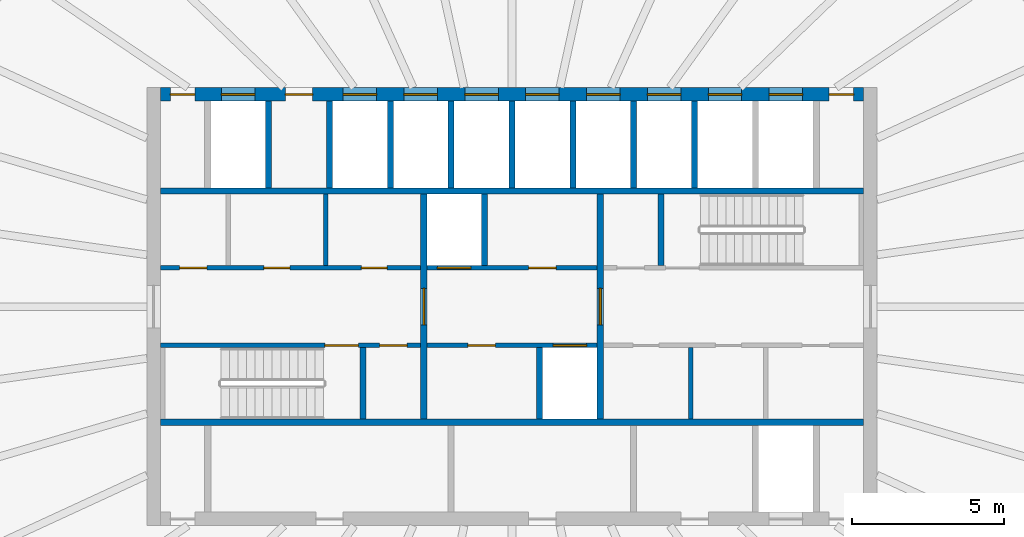
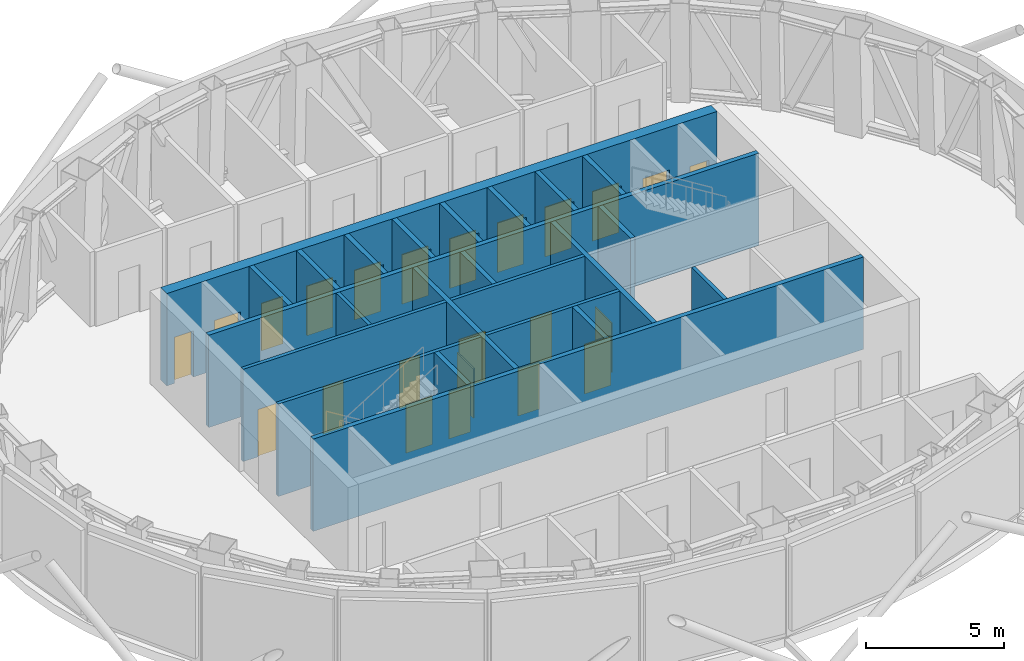
# One storey, part 6 of 15: 23 doors, 23 walls, 23 openings.
"""IFC4 building model written with IfcOpenShell, lengths in metres."""

from ifc_helpers import new_model, si_unit, direction, frame, frame_2d, origin, place, context, subcontext, project, spatial, rectangle, extrude, material, layer, layer_set, type_object, element, fill, save


model = new_model("IFC4")

# Units and contexts
model_context = context("Model", 3, precision=1e-05, world=origin(), true_north=direction((0.0, 1.0)))
body_context = subcontext(model_context, "Body", "Model", "MODEL_VIEW")
ifc_project = project(units=[si_unit("LENGTHUNIT", "METRE"), si_unit("AREAUNIT", "SQUARE_METRE"), si_unit("VOLUMEUNIT", "CUBIC_METRE"), si_unit("PLANEANGLEUNIT", "RADIAN"), si_unit("MASSUNIT", "GRAM", prefix="KILO")], contexts=[model_context])

# Site, building, storey
site_placement = place(None, origin())
site = spatial("IfcSite", under=ifc_project, at=site_placement, CompositionType="ELEMENT")
building_placement = place(site_placement, origin())
building = spatial("IfcBuilding", under=site, at=building_placement, Name="Siaravel Broadcast Tower", CompositionType="ELEMENT")
storey_placement = place(building_placement, frame((0.0, 0.0, 212.60009765625)))
storey = spatial("IfcBuildingStorey", under=building, at=storey_placement, Name="L51", CompositionType="ELEMENT", Elevation=212.60009765625)

# Walls
ifc_material_1 = material(Name="Concrete blockwork", Category="masonry")
ifc_layer_1 = layer(ifc_material_1, 0.14990234375)
ifc_layer_set_1 = layer_set([ifc_layer_1], Name="Concrete blockwork")
wall_type_1 = type_object("IfcWallType", Name="Core partition 150", PredefinedType="PARTITIONING", material=ifc_layer_set_1)
for number, where, z_axis, x_axis, name in (
    (1, (-6.12744140625, 1.35009765625, 0.0), (0.0, 0.0, 1.0), (0.0, 1.0, 0.0), "L51 core partition PNW1"),
    (2, (5.8798828125, -3.699951171875, 0.0), (0.0, 0.0, 1.0), (0.0, 1.0, 0.0), "L51 core partition PSE0"),
):
    element("IfcWall", number, at=place(storey_placement, frame(where, z_axis=z_axis, x_axis=x_axis)), inside=storey, type_object=wall_type_1, Name=name, PredefinedType="PARTITIONING", context=body_context, shape_type="SweptSolid", body=[
        extrude(rectangle(XDim=2.349853515625, YDim=0.14990234375, at=frame_2d((1.1748046875, 0.0))), origin(), (0.0, 0.0, 1.0), 4.099853515625),
    ])

# Wall, openings, doors
ifc_material_2 = material(Name="Concrete C60/75", Category="concrete")
ifc_layer_2 = layer(ifc_material_2, 0.449951171875)
ifc_layer_set_2 = layer_set([ifc_layer_2], Name="Concrete C60/75")
wall_type_2 = type_object("IfcWallType", Name="Core wall 450", PredefinedType="SHEAR", material=ifc_layer_set_2)
wall_1_placement = place(storey_placement, frame((-11.550048828125, 6.97509765625, 0.0), z_axis=(0.0, 0.0, 1.0), x_axis=(1.0, 0.0, 0.0)))
wall_1 = element("IfcWall", 3, at=wall_1_placement, inside=storey, type_object=wall_type_2, Name="L51 core wall ON", PredefinedType="SHEAR", context=body_context, shape_type="SweptSolid", body=[
    extrude(rectangle(XDim=23.10009765625, YDim=0.449951171875, at=frame_2d((11.550048828125, 0.0))), origin(), (0.0, 0.0, 1.0), 4.099853515625),
])
opening_1_placement = place(wall_1_placement, frame((2.0, 0.0, 0.0)))
opening_1 = element("IfcOpeningElement", 4, at=opening_1_placement, cuts=wall_1, Name="Opening LD-SV2-L51", PredefinedType="OPENING", context=body_context, shape_type="SweptSolid", body=[
    extrude(rectangle(XDim=1.10009765625, YDim=2.199951171875, at=frame_2d((0.550048828125, 1.10009765625))), frame((0.0, 0.23486328125, 0.0), z_axis=(0.0, -1.0, 0.0), x_axis=(1.0, 0.0, 0.0)), (0.0, 0.0, 1.0), 0.469970703125),
])
opening_2_placement = place(wall_1_placement, frame((6.0, 0.0, 0.0)))
opening_2 = element("IfcOpeningElement", 5, at=opening_2_placement, cuts=wall_1, Name="Opening LD-HP1-L51", PredefinedType="OPENING", context=body_context, shape_type="SweptSolid", body=[
    extrude(rectangle(XDim=1.10009765625, YDim=2.199951171875, at=frame_2d((0.550048828125, 1.10009765625))), frame((0.0, 0.23486328125, 0.0), z_axis=(0.0, -1.0, 0.0), x_axis=(1.0, 0.0, 0.0)), (0.0, 0.0, 1.0), 0.469970703125),
])
opening_3_placement = place(wall_1_placement, frame((8.0, 0.0, 0.0)))
opening_3 = element("IfcOpeningElement", 6, at=opening_3_placement, cuts=wall_1, Name="Opening LD-HP2-L51", PredefinedType="OPENING", context=body_context, shape_type="SweptSolid", body=[
    extrude(rectangle(XDim=1.10009765625, YDim=2.199951171875, at=frame_2d((0.550048828125, 1.10009765625))), frame((0.0, 0.23486328125, 0.0), z_axis=(0.0, -1.0, 0.0), x_axis=(1.0, 0.0, 0.0)), (0.0, 0.0, 1.0), 0.469970703125),
])
opening_4_placement = place(wall_1_placement, frame((10.0, 0.0, 0.0)))
opening_4 = element("IfcOpeningElement", 7, at=opening_4_placement, cuts=wall_1, Name="Opening LD-HP3-L51", PredefinedType="OPENING", context=body_context, shape_type="SweptSolid", body=[
    extrude(rectangle(XDim=1.10009765625, YDim=2.199951171875, at=frame_2d((0.550048828125, 1.10009765625))), frame((0.0, 0.23486328125, 0.0), z_axis=(0.0, -1.0, 0.0), x_axis=(1.0, 0.0, 0.0)), (0.0, 0.0, 1.0), 0.469970703125),
])
opening_5_placement = place(wall_1_placement, frame((12.0, 0.0, 0.0)))
opening_5 = element("IfcOpeningElement", 8, at=opening_5_placement, cuts=wall_1, Name="Opening LD-HP4-L51", PredefinedType="OPENING", context=body_context, shape_type="SweptSolid", body=[
    extrude(rectangle(XDim=1.10009765625, YDim=2.199951171875, at=frame_2d((0.550048828125, 1.10009765625))), frame((0.0, 0.23486328125, 0.0), z_axis=(0.0, -1.0, 0.0), x_axis=(1.0, 0.0, 0.0)), (0.0, 0.0, 1.0), 0.469970703125),
])
opening_6_placement = place(wall_1_placement, frame((14.0, 0.0, 0.0)))
opening_6 = element("IfcOpeningElement", 9, at=opening_6_placement, cuts=wall_1, Name="Opening LD-HP5-L51", PredefinedType="OPENING", context=body_context, shape_type="SweptSolid", body=[
    extrude(rectangle(XDim=1.10009765625, YDim=2.199951171875, at=frame_2d((0.550048828125, 1.10009765625))), frame((0.0, 0.23486328125, 0.0), z_axis=(0.0, -1.0, 0.0), x_axis=(1.0, 0.0, 0.0)), (0.0, 0.0, 1.0), 0.469970703125),
])
opening_7_placement = place(wall_1_placement, frame((16.0, 0.0, 0.0)))
opening_7 = element("IfcOpeningElement", 10, at=opening_7_placement, cuts=wall_1, Name="Opening LD-HP6-L51", PredefinedType="OPENING", context=body_context, shape_type="SweptSolid", body=[
    extrude(rectangle(XDim=1.10009765625, YDim=2.199951171875, at=frame_2d((0.550048828125, 1.10009765625))), frame((0.0, 0.23486328125, 0.0), z_axis=(0.0, -1.0, 0.0), x_axis=(1.0, 0.0, 0.0)), (0.0, 0.0, 1.0), 0.469970703125),
])
opening_8_placement = place(wall_1_placement, frame((18.0, 0.0, 0.0)))
opening_8 = element("IfcOpeningElement", 11, at=opening_8_placement, cuts=wall_1, Name="Opening LD-HP7-L51", PredefinedType="OPENING", context=body_context, shape_type="SweptSolid", body=[
    extrude(rectangle(XDim=1.10009765625, YDim=2.199951171875, at=frame_2d((0.550048828125, 1.10009765625))), frame((0.0, 0.23486328125, 0.0), z_axis=(0.0, -1.0, 0.0), x_axis=(1.0, 0.0, 0.0)), (0.0, 0.0, 1.0), 0.469970703125),
])
opening_9_placement = place(wall_1_placement, frame((20.0, 0.0, 0.0)))
opening_9 = element("IfcOpeningElement", 12, at=opening_9_placement, cuts=wall_1, Name="Opening LD-HP8-L51", PredefinedType="OPENING", context=body_context, shape_type="SweptSolid", body=[
    extrude(rectangle(XDim=1.10009765625, YDim=2.199951171875, at=frame_2d((0.550048828125, 1.10009765625))), frame((0.0, 0.23486328125, 0.0), z_axis=(0.0, -1.0, 0.0), x_axis=(1.0, 0.0, 0.0)), (0.0, 0.0, 1.0), 0.469970703125),
])
opening_10_placement = place(wall_1_placement, frame((4.10009765625, 0.0, 0.0)))
opening_10 = element("IfcOpeningElement", 13, at=opening_10_placement, cuts=wall_1, Name="Opening L51-DFN1", PredefinedType="OPENING", context=body_context, shape_type="SweptSolid", body=[
    extrude(rectangle(XDim=0.89990234375, YDim=2.10009765625, at=frame_2d((0.449951171875, 1.050048828125))), frame((0.0, 0.23486328125, 0.0), z_axis=(0.0, -1.0, 0.0), x_axis=(1.0, 0.0, 0.0)), (0.0, 0.0, 1.0), 0.469970703125),
])
opening_11_placement = place(wall_1_placement, frame((0.324951171875, 0.0, 0.0)))
opening_11 = element("IfcOpeningElement", 14, at=opening_11_placement, cuts=wall_1, Name="Opening L51-DRNW", PredefinedType="OPENING", context=body_context, shape_type="SweptSolid", body=[
    extrude(rectangle(XDim=0.800048828125, YDim=2.050048828125, at=frame_2d((0.39990234375, 1.02490234375))), frame((0.0, 0.23486328125, 0.0), z_axis=(0.0, -1.0, 0.0), x_axis=(1.0, 0.0, 0.0)), (0.0, 0.0, 1.0), 0.469970703125),
])
opening_12_placement = place(wall_1_placement, frame((21.97509765625, 0.0, 0.0)))
opening_12 = element("IfcOpeningElement", 15, at=opening_12_placement, cuts=wall_1, Name="Opening L51-DRNE", PredefinedType="OPENING", context=body_context, shape_type="SweptSolid", body=[
    extrude(rectangle(XDim=0.800048828125, YDim=2.050048828125, at=frame_2d((0.39990234375, 1.02490234375))), frame((0.0, 0.23486328125, 0.0), z_axis=(0.0, -1.0, 0.0), x_axis=(1.0, 0.0, 0.0)), (0.0, 0.0, 1.0), 0.469970703125),
])
ifc_material_3 = material(Name="Timber veneer", Category="wood")
door_type_1 = type_object("IfcDoorType", Name="Core room door 900", OperationType="SINGLE_SWING_LEFT", PredefinedType="DOOR", material=ifc_material_3)
door_1_placement = place(opening_10_placement, origin())
door_1 = element("IfcDoor", 16, at=door_1_placement, inside=storey, type_object=door_type_1, Name="L51 door DFN1", OperationType="SINGLE_SWING_LEFT", OverallHeight=2.10009765625, OverallWidth=0.89990234375, PredefinedType="DOOR", context=body_context, shape_type="SweptSolid", body=[
    extrude(rectangle(XDim=0.89990234375, YDim=2.10009765625, at=frame_2d((0.449951171875, 1.050048828125))), frame((0.0, 0.02490234375, 0.0), z_axis=(0.0, -1.0, 0.0), x_axis=(1.0, 0.0, 0.0)), (0.0, 0.0, 1.0), 0.050048828125),
])
fill(opening_10, door_1)
ifc_material_4 = material(Name="Stainless steel 316L", Category="steel")
door_type_2 = type_object("IfcDoorType", Name="Lift landing door 1100", OperationType="DOUBLE_DOOR_SLIDING", PredefinedType="DOOR", material=ifc_material_4)
door_2_placement = place(opening_2_placement, origin())
door_2 = element("IfcDoor", 17, at=door_2_placement, inside=storey, type_object=door_type_2, Name="Landing door HP1 L51", OperationType="DOUBLE_DOOR_SLIDING", OverallHeight=2.199951171875, OverallWidth=1.10009765625, PredefinedType="DOOR", context=body_context, shape_type="SweptSolid", body=[
    extrude(rectangle(XDim=1.10009765625, YDim=2.199951171875, at=frame_2d((0.550048828125, 1.10009765625))), frame((0.0, 0.02490234375, 0.0), z_axis=(0.0, -1.0, 0.0), x_axis=(1.0, 0.0, 0.0)), (0.0, 0.0, 1.0), 0.050048828125),
])
fill(opening_2, door_2)
door_3_placement = place(opening_3_placement, origin())
door_3 = element("IfcDoor", 18, at=door_3_placement, inside=storey, type_object=door_type_2, Name="Landing door HP2 L51", OperationType="DOUBLE_DOOR_SLIDING", OverallHeight=2.199951171875, OverallWidth=1.10009765625, PredefinedType="DOOR", context=body_context, shape_type="SweptSolid", body=[
    extrude(rectangle(XDim=1.10009765625, YDim=2.199951171875, at=frame_2d((0.550048828125, 1.10009765625))), frame((0.0, 0.02490234375, 0.0), z_axis=(0.0, -1.0, 0.0), x_axis=(1.0, 0.0, 0.0)), (0.0, 0.0, 1.0), 0.050048828125),
])
fill(opening_3, door_3)
door_4_placement = place(opening_4_placement, origin())
door_4 = element("IfcDoor", 19, at=door_4_placement, inside=storey, type_object=door_type_2, Name="Landing door HP3 L51", OperationType="DOUBLE_DOOR_SLIDING", OverallHeight=2.199951171875, OverallWidth=1.10009765625, PredefinedType="DOOR", context=body_context, shape_type="SweptSolid", body=[
    extrude(rectangle(XDim=1.10009765625, YDim=2.199951171875, at=frame_2d((0.550048828125, 1.10009765625))), frame((0.0, 0.02490234375, 0.0), z_axis=(0.0, -1.0, 0.0), x_axis=(1.0, 0.0, 0.0)), (0.0, 0.0, 1.0), 0.050048828125),
])
fill(opening_4, door_4)
door_5_placement = place(opening_5_placement, origin())
door_5 = element("IfcDoor", 20, at=door_5_placement, inside=storey, type_object=door_type_2, Name="Landing door HP4 L51", OperationType="DOUBLE_DOOR_SLIDING", OverallHeight=2.199951171875, OverallWidth=1.10009765625, PredefinedType="DOOR", context=body_context, shape_type="SweptSolid", body=[
    extrude(rectangle(XDim=1.10009765625, YDim=2.199951171875, at=frame_2d((0.550048828125, 1.10009765625))), frame((0.0, 0.02490234375, 0.0), z_axis=(0.0, -1.0, 0.0), x_axis=(1.0, 0.0, 0.0)), (0.0, 0.0, 1.0), 0.050048828125),
])
fill(opening_5, door_5)
door_6_placement = place(opening_6_placement, origin())
door_6 = element("IfcDoor", 21, at=door_6_placement, inside=storey, type_object=door_type_2, Name="Landing door HP5 L51", OperationType="DOUBLE_DOOR_SLIDING", OverallHeight=2.199951171875, OverallWidth=1.10009765625, PredefinedType="DOOR", context=body_context, shape_type="SweptSolid", body=[
    extrude(rectangle(XDim=1.10009765625, YDim=2.199951171875, at=frame_2d((0.550048828125, 1.10009765625))), frame((0.0, 0.02490234375, 0.0), z_axis=(0.0, -1.0, 0.0), x_axis=(1.0, 0.0, 0.0)), (0.0, 0.0, 1.0), 0.050048828125),
])
fill(opening_6, door_6)
door_7_placement = place(opening_7_placement, origin())
door_7 = element("IfcDoor", 22, at=door_7_placement, inside=storey, type_object=door_type_2, Name="Landing door HP6 L51", OperationType="DOUBLE_DOOR_SLIDING", OverallHeight=2.199951171875, OverallWidth=1.10009765625, PredefinedType="DOOR", context=body_context, shape_type="SweptSolid", body=[
    extrude(rectangle(XDim=1.10009765625, YDim=2.199951171875, at=frame_2d((0.550048828125, 1.10009765625))), frame((0.0, 0.02490234375, 0.0), z_axis=(0.0, -1.0, 0.0), x_axis=(1.0, 0.0, 0.0)), (0.0, 0.0, 1.0), 0.050048828125),
])
fill(opening_7, door_7)
door_8_placement = place(opening_8_placement, origin())
door_8 = element("IfcDoor", 23, at=door_8_placement, inside=storey, type_object=door_type_2, Name="Landing door HP7 L51", OperationType="DOUBLE_DOOR_SLIDING", OverallHeight=2.199951171875, OverallWidth=1.10009765625, PredefinedType="DOOR", context=body_context, shape_type="SweptSolid", body=[
    extrude(rectangle(XDim=1.10009765625, YDim=2.199951171875, at=frame_2d((0.550048828125, 1.10009765625))), frame((0.0, 0.02490234375, 0.0), z_axis=(0.0, -1.0, 0.0), x_axis=(1.0, 0.0, 0.0)), (0.0, 0.0, 1.0), 0.050048828125),
])
fill(opening_8, door_8)
door_9_placement = place(opening_9_placement, origin())
door_9 = element("IfcDoor", 24, at=door_9_placement, inside=storey, type_object=door_type_2, Name="Landing door HP8 L51", OperationType="DOUBLE_DOOR_SLIDING", OverallHeight=2.199951171875, OverallWidth=1.10009765625, PredefinedType="DOOR", context=body_context, shape_type="SweptSolid", body=[
    extrude(rectangle(XDim=1.10009765625, YDim=2.199951171875, at=frame_2d((0.550048828125, 1.10009765625))), frame((0.0, 0.02490234375, 0.0), z_axis=(0.0, -1.0, 0.0), x_axis=(1.0, 0.0, 0.0)), (0.0, 0.0, 1.0), 0.050048828125),
])
fill(opening_9, door_9)
ifc_material_5 = material(Name="Steel", Category="steel")
door_type_3 = type_object("IfcDoorType", Name="Riser door 800", OperationType="SINGLE_SWING_LEFT", PredefinedType="DOOR", material=ifc_material_5)
door_10_placement = place(opening_11_placement, origin())
door_10 = element("IfcDoor", 25, at=door_10_placement, inside=storey, type_object=door_type_3, Name="L51 door DRNW", OperationType="SINGLE_SWING_LEFT", OverallHeight=2.050048828125, OverallWidth=0.800048828125, PredefinedType="DOOR", context=body_context, shape_type="SweptSolid", body=[
    extrude(rectangle(XDim=0.800048828125, YDim=2.050048828125, at=frame_2d((0.39990234375, 1.02490234375))), frame((0.0, 0.02490234375, 0.0), z_axis=(0.0, -1.0, 0.0), x_axis=(1.0, 0.0, 0.0)), (0.0, 0.0, 1.0), 0.050048828125),
])
fill(opening_11, door_10)
door_11_placement = place(opening_12_placement, origin())
door_11 = element("IfcDoor", 26, at=door_11_placement, inside=storey, type_object=door_type_3, Name="L51 door DRNE", OperationType="SINGLE_SWING_LEFT", OverallHeight=2.050048828125, OverallWidth=0.800048828125, PredefinedType="DOOR", context=body_context, shape_type="SweptSolid", body=[
    extrude(rectangle(XDim=0.800048828125, YDim=2.050048828125, at=frame_2d((0.39990234375, 1.02490234375))), frame((0.0, 0.02490234375, 0.0), z_axis=(0.0, -1.0, 0.0), x_axis=(1.0, 0.0, 0.0)), (0.0, 0.0, 1.0), 0.050048828125),
])
fill(opening_12, door_11)
door_type_4 = type_object("IfcDoorType", Name="Service lift landing door 1100", OperationType="DOUBLE_DOOR_SLIDING", PredefinedType="DOOR", material=ifc_material_4)
door_12_placement = place(opening_1_placement, origin())
door_12 = element("IfcDoor", 27, at=door_12_placement, inside=storey, type_object=door_type_4, Name="Landing door SV2 L51", OperationType="DOUBLE_DOOR_SLIDING", OverallHeight=2.199951171875, OverallWidth=1.10009765625, PredefinedType="DOOR", context=body_context, shape_type="SweptSolid", body=[
    extrude(rectangle(XDim=1.10009765625, YDim=2.199951171875, at=frame_2d((0.550048828125, 1.10009765625))), frame((0.0, 0.02490234375, 0.0), z_axis=(0.0, -1.0, 0.0), x_axis=(1.0, 0.0, 0.0)), (0.0, 0.0, 1.0), 0.050048828125),
])
fill(opening_1, door_12)

ifc_material_6 = material(Name="Gypsum board partition", Category="gypsum")
ifc_layer_3 = layer(ifc_material_6, 0.14990234375)
ifc_layer_set_3 = layer_set([ifc_layer_3], Name="Gypsum board partition")
wall_type_3 = type_object("IfcWallType", Name="Corridor wall 150", PredefinedType="PARTITIONING", material=ifc_layer_set_3)
wall_2_placement = place(storey_placement, frame((-11.550048828125, 1.27490234375, 0.0), z_axis=(0.0, 0.0, 1.0), x_axis=(1.0, 0.0, 0.0)))
wall_2 = element("IfcWall", 28, at=wall_2_placement, inside=storey, type_object=wall_type_3, Name="L51 core partition CNW", PredefinedType="PARTITIONING", context=body_context, shape_type="SweptSolid", body=[
    extrude(rectangle(XDim=8.550048828125, YDim=0.14990234375, at=frame_2d((4.27490234375, 0.0))), origin(), (0.0, 0.0, 1.0), 4.099853515625),
])
opening_13_placement = place(wall_2_placement, frame((0.62255859375, 0.0, 0.0)))
opening_13 = element("IfcOpeningElement", 29, at=opening_13_placement, cuts=wall_2, Name="Opening L51-DNW0", PredefinedType="OPENING", context=body_context, shape_type="SweptSolid", body=[
    extrude(rectangle(XDim=0.89990234375, YDim=2.10009765625, at=frame_2d((0.449951171875, 1.050048828125))), frame((0.0, 0.0849609375, 0.0), z_axis=(0.0, -1.0, 0.0), x_axis=(1.0, 0.0, 0.0)), (0.0, 0.0, 1.0), 0.169921875),
])
opening_14_placement = place(wall_2_placement, frame((3.396240234375, 0.0, 0.0)))
opening_14 = element("IfcOpeningElement", 30, at=opening_14_placement, cuts=wall_2, Name="Opening L51-DNW1", PredefinedType="OPENING", context=body_context, shape_type="SweptSolid", body=[
    extrude(rectangle(XDim=0.85009765625, YDim=2.10009765625, at=frame_2d((0.425048828125, 1.050048828125))), frame((0.0, 0.0849609375, 0.0), z_axis=(0.0, -1.0, 0.0), x_axis=(1.0, 0.0, 0.0)), (0.0, 0.0, 1.0), 0.169921875),
])
opening_15_placement = place(wall_2_placement, frame((6.5986328125, 0.0, 0.0)))
opening_15 = element("IfcOpeningElement", 31, at=opening_15_placement, cuts=wall_2, Name="Opening L51-DNW2", PredefinedType="OPENING", context=body_context, shape_type="SweptSolid", body=[
    extrude(rectangle(XDim=0.85009765625, YDim=2.10009765625, at=frame_2d((0.425048828125, 1.050048828125))), frame((0.0, 0.0849609375, 0.0), z_axis=(0.0, -1.0, 0.0), x_axis=(1.0, 0.0, 0.0)), (0.0, 0.0, 1.0), 0.169921875),
])
door_13_placement = place(opening_13_placement, origin())
door_13 = element("IfcDoor", 32, at=door_13_placement, inside=storey, type_object=door_type_1, Name="L51 door DNW0", OperationType="SINGLE_SWING_LEFT", OverallHeight=2.10009765625, OverallWidth=0.89990234375, PredefinedType="DOOR", context=body_context, shape_type="SweptSolid", body=[
    extrude(rectangle(XDim=0.89990234375, YDim=2.10009765625, at=frame_2d((0.449951171875, 1.050048828125))), frame((0.0, 0.02490234375, 0.0), z_axis=(0.0, -1.0, 0.0), x_axis=(1.0, 0.0, 0.0)), (0.0, 0.0, 1.0), 0.050048828125),
])
fill(opening_13, door_13)
door_type_5 = type_object("IfcDoorType", Name="Core toilet door 850", OperationType="SINGLE_SWING_LEFT", PredefinedType="DOOR", material=ifc_material_3)
door_14_placement = place(opening_14_placement, origin())
door_14 = element("IfcDoor", 33, at=door_14_placement, inside=storey, type_object=door_type_5, Name="L51 door DNW1", OperationType="SINGLE_SWING_LEFT", OverallHeight=2.10009765625, OverallWidth=0.85009765625, PredefinedType="DOOR", context=body_context, shape_type="SweptSolid", body=[
    extrude(rectangle(XDim=0.85009765625, YDim=2.10009765625, at=frame_2d((0.425048828125, 1.050048828125))), frame((0.0, 0.02490234375, 0.0), z_axis=(0.0, -1.0, 0.0), x_axis=(1.0, 0.0, 0.0)), (0.0, 0.0, 1.0), 0.050048828125),
])
fill(opening_14, door_14)
door_15_placement = place(opening_15_placement, origin())
door_15 = element("IfcDoor", 34, at=door_15_placement, inside=storey, type_object=door_type_5, Name="L51 door DNW2", OperationType="SINGLE_SWING_LEFT", OverallHeight=2.10009765625, OverallWidth=0.85009765625, PredefinedType="DOOR", context=body_context, shape_type="SweptSolid", body=[
    extrude(rectangle(XDim=0.85009765625, YDim=2.10009765625, at=frame_2d((0.425048828125, 1.050048828125))), frame((0.0, 0.02490234375, 0.0), z_axis=(0.0, -1.0, 0.0), x_axis=(1.0, 0.0, 0.0)), (0.0, 0.0, 1.0), 0.050048828125),
])
fill(opening_15, door_15)

ifc_layer_4 = layer(ifc_material_2, 0.14990234375)
ifc_layer_set_4 = layer_set([ifc_layer_4], Name="Concrete C60/75")
wall_type_4 = type_object("IfcWallType", Name="Shaft wall 150", PredefinedType="SHEAR", material=ifc_layer_set_4)
wall_3_placement = place(storey_placement, frame((-11.550048828125, -1.27490234375, 0.0), z_axis=(0.0, 0.0, 1.0), x_axis=(1.0, 0.0, 0.0)))
wall_3 = element("IfcWall", 35, at=wall_3_placement, inside=storey, type_object=wall_type_4, Name="L51 core wall CSW", PredefinedType="SHEAR", context=body_context, shape_type="SweptSolid", body=[
    extrude(rectangle(XDim=8.550048828125, YDim=0.14990234375, at=frame_2d((4.27490234375, 0.0))), origin(), (0.0, 0.0, 1.0), 4.099853515625),
])
opening_16_placement = place(wall_3_placement, frame((5.39990234375, 0.0, 0.0)))
opening_16 = element("IfcOpeningElement", 36, at=opening_16_placement, cuts=wall_3, Name="Opening L51-DS-1", PredefinedType="OPENING", context=body_context, shape_type="SweptSolid", body=[
    extrude(rectangle(XDim=1.10009765625, YDim=2.14990234375, at=frame_2d((0.550048828125, 1.074951171875))), frame((0.0, 0.0849609375, 0.0), z_axis=(0.0, -1.0, 0.0), x_axis=(1.0, 0.0, 0.0)), (0.0, 0.0, 1.0), 0.169921875),
])
opening_17_placement = place(wall_3_placement, frame((7.199951171875, 0.0, 0.0)))
opening_17 = element("IfcOpeningElement", 37, at=opening_17_placement, cuts=wall_3, Name="Opening L51-DSW0", PredefinedType="OPENING", context=body_context, shape_type="SweptSolid", body=[
    extrude(rectangle(XDim=0.89990234375, YDim=2.10009765625, at=frame_2d((0.449951171875, 1.050048828125))), frame((0.0, 0.0849609375, 0.0), z_axis=(0.0, -1.0, 0.0), x_axis=(1.0, 0.0, 0.0)), (0.0, 0.0, 1.0), 0.169921875),
])
door_16_placement = place(opening_17_placement, origin())
door_16 = element("IfcDoor", 38, at=door_16_placement, inside=storey, type_object=door_type_1, Name="L51 door DSW0", OperationType="SINGLE_SWING_LEFT", OverallHeight=2.10009765625, OverallWidth=0.89990234375, PredefinedType="DOOR", context=body_context, shape_type="SweptSolid", body=[
    extrude(rectangle(XDim=0.89990234375, YDim=2.10009765625, at=frame_2d((0.449951171875, 1.050048828125))), frame((0.0, 0.02490234375, 0.0), z_axis=(0.0, -1.0, 0.0), x_axis=(1.0, 0.0, 0.0)), (0.0, 0.0, 1.0), 0.050048828125),
])
fill(opening_17, door_16)
door_type_6 = type_object("IfcDoorType", Name="Stair door 1100", OperationType="SINGLE_SWING_LEFT", PredefinedType="DOOR", material=ifc_material_5)
door_17_placement = place(opening_16_placement, origin())
door_17 = element("IfcDoor", 39, at=door_17_placement, inside=storey, type_object=door_type_6, Name="L51 door DS-1", OperationType="SINGLE_SWING_LEFT", OverallHeight=2.14990234375, OverallWidth=1.10009765625, PredefinedType="DOOR", context=body_context, shape_type="SweptSolid", body=[
    extrude(rectangle(XDim=1.10009765625, YDim=2.14990234375, at=frame_2d((0.550048828125, 1.074951171875))), frame((0.0, 0.02490234375, 0.0), z_axis=(0.0, -1.0, 0.0), x_axis=(1.0, 0.0, 0.0)), (0.0, 0.0, 1.0), 0.050048828125),
])
fill(opening_16, door_17)

wall_4_placement = place(storey_placement, frame((-2.800048828125, -1.27490234375, 0.0), z_axis=(0.0, 0.0, 1.0), x_axis=(1.0, 0.0, 0.0)))
wall_4 = element("IfcWall", 40, at=wall_4_placement, inside=storey, type_object=wall_type_4, Name="L51 core wall CSM", PredefinedType="SHEAR", context=body_context, shape_type="SweptSolid", body=[
    extrude(rectangle(XDim=5.60009765625, YDim=0.14990234375, at=frame_2d((2.800048828125, 0.0))), origin(), (0.0, 0.0, 1.0), 4.099853515625),
])
opening_18_placement = place(wall_4_placement, frame((4.14990234375, 0.0, 0.0)))
opening_18 = element("IfcOpeningElement", 41, at=opening_18_placement, cuts=wall_4, Name="Opening LD-FL2-L51", PredefinedType="OPENING", context=body_context, shape_type="SweptSolid", body=[
    extrude(rectangle(XDim=1.10009765625, YDim=2.199951171875, at=frame_2d((0.550048828125, 1.10009765625))), frame((0.0, 0.0849609375, 0.0), z_axis=(0.0, -1.0, 0.0), x_axis=(1.0, 0.0, 0.0)), (0.0, 0.0, 1.0), 0.169921875),
])
opening_19_placement = place(wall_4_placement, frame((1.35009765625, 0.0, 0.0)))
opening_19 = element("IfcOpeningElement", 42, at=opening_19_placement, cuts=wall_4, Name="Opening L51-DSM0", PredefinedType="OPENING", context=body_context, shape_type="SweptSolid", body=[
    extrude(rectangle(XDim=0.89990234375, YDim=2.10009765625, at=frame_2d((0.449951171875, 1.050048828125))), frame((0.0, 0.0849609375, 0.0), z_axis=(0.0, -1.0, 0.0), x_axis=(1.0, 0.0, 0.0)), (0.0, 0.0, 1.0), 0.169921875),
])
door_18_placement = place(opening_19_placement, origin())
door_18 = element("IfcDoor", 43, at=door_18_placement, inside=storey, type_object=door_type_1, Name="L51 door DSM0", OperationType="SINGLE_SWING_LEFT", OverallHeight=2.10009765625, OverallWidth=0.89990234375, PredefinedType="DOOR", context=body_context, shape_type="SweptSolid", body=[
    extrude(rectangle(XDim=0.89990234375, YDim=2.10009765625, at=frame_2d((0.449951171875, 1.050048828125))), frame((0.0, 0.02490234375, 0.0), z_axis=(0.0, -1.0, 0.0), x_axis=(1.0, 0.0, 0.0)), (0.0, 0.0, 1.0), 0.050048828125),
])
fill(opening_19, door_18)
door_type_7 = type_object("IfcDoorType", Name="Firefighting lift landing door 1100", OperationType="DOUBLE_DOOR_SLIDING", PredefinedType="DOOR", material=ifc_material_4)
door_19_placement = place(opening_18_placement, origin())
door_19 = element("IfcDoor", 44, at=door_19_placement, inside=storey, type_object=door_type_7, Name="Landing door FL2 L51", OperationType="DOUBLE_DOOR_SLIDING", OverallHeight=2.199951171875, OverallWidth=1.10009765625, PredefinedType="DOOR", context=body_context, shape_type="SweptSolid", body=[
    extrude(rectangle(XDim=1.10009765625, YDim=2.199951171875, at=frame_2d((0.550048828125, 1.10009765625))), frame((0.0, 0.02490234375, 0.0), z_axis=(0.0, -1.0, 0.0), x_axis=(1.0, 0.0, 0.0)), (0.0, 0.0, 1.0), 0.050048828125),
])
fill(opening_18, door_19)

wall_5_placement = place(storey_placement, frame((-2.800048828125, 1.27490234375, 0.0), z_axis=(0.0, 0.0, 1.0), x_axis=(1.0, 0.0, 0.0)))
wall_5 = element("IfcWall", 45, at=wall_5_placement, inside=storey, type_object=wall_type_4, Name="L51 core wall CNM", PredefinedType="SHEAR", context=body_context, shape_type="SweptSolid", body=[
    extrude(rectangle(XDim=5.60009765625, YDim=0.14990234375, at=frame_2d((2.800048828125, 0.0))), origin(), (0.0, 0.0, 1.0), 4.099853515625),
])
opening_20_placement = place(wall_5_placement, frame((0.35009765625, 0.0, 0.0)))
opening_20 = element("IfcOpeningElement", 46, at=opening_20_placement, cuts=wall_5, Name="Opening LD-FL1-L51", PredefinedType="OPENING", context=body_context, shape_type="SweptSolid", body=[
    extrude(rectangle(XDim=1.10009765625, YDim=2.199951171875, at=frame_2d((0.550048828125, 1.10009765625))), frame((0.0, 0.0849609375, 0.0), z_axis=(0.0, -1.0, 0.0), x_axis=(1.0, 0.0, 0.0)), (0.0, 0.0, 1.0), 0.169921875),
])
opening_21_placement = place(wall_5_placement, frame((3.35009765625, 0.0, 0.0)))
opening_21 = element("IfcOpeningElement", 47, at=opening_21_placement, cuts=wall_5, Name="Opening L51-DNM0", PredefinedType="OPENING", context=body_context, shape_type="SweptSolid", body=[
    extrude(rectangle(XDim=0.89990234375, YDim=2.10009765625, at=frame_2d((0.449951171875, 1.050048828125))), frame((0.0, 0.0849609375, 0.0), z_axis=(0.0, -1.0, 0.0), x_axis=(1.0, 0.0, 0.0)), (0.0, 0.0, 1.0), 0.169921875),
])
door_20_placement = place(opening_21_placement, origin())
door_20 = element("IfcDoor", 48, at=door_20_placement, inside=storey, type_object=door_type_1, Name="L51 door DNM0", OperationType="SINGLE_SWING_LEFT", OverallHeight=2.10009765625, OverallWidth=0.89990234375, PredefinedType="DOOR", context=body_context, shape_type="SweptSolid", body=[
    extrude(rectangle(XDim=0.89990234375, YDim=2.10009765625, at=frame_2d((0.449951171875, 1.050048828125))), frame((0.0, 0.02490234375, 0.0), z_axis=(0.0, -1.0, 0.0), x_axis=(1.0, 0.0, 0.0)), (0.0, 0.0, 1.0), 0.050048828125),
])
fill(opening_21, door_20)
door_21_placement = place(opening_20_placement, origin())
door_21 = element("IfcDoor", 49, at=door_21_placement, inside=storey, type_object=door_type_7, Name="Landing door FL1 L51", OperationType="DOUBLE_DOOR_SLIDING", OverallHeight=2.199951171875, OverallWidth=1.10009765625, PredefinedType="DOOR", context=body_context, shape_type="SweptSolid", body=[
    extrude(rectangle(XDim=1.10009765625, YDim=2.199951171875, at=frame_2d((0.550048828125, 1.10009765625))), frame((0.0, 0.02490234375, 0.0), z_axis=(0.0, -1.0, 0.0), x_axis=(1.0, 0.0, 0.0)), (0.0, 0.0, 1.0), 0.050048828125),
])
fill(opening_20, door_21)

# Walls
ifc_layer_5 = layer(ifc_material_2, 0.199951171875)
ifc_layer_set_5 = layer_set([ifc_layer_5], Name="Concrete C60/75")
wall_type_5 = type_object("IfcWallType", Name="Shaft wall 200", PredefinedType="SHEAR", material=ifc_layer_set_5)
for number, where, z_axis, x_axis, name in (
    (50, (-11.550048828125, -3.800048828125, 0.0), (0.0, 0.0, 1.0), (1.0, 0.0, 0.0), "L51 core wall BS"),
    (51, (-11.550048828125, 3.800048828125, 0.0), (0.0, 0.0, 1.0), (1.0, 0.0, 0.0), "L51 core wall BN"),
):
    element("IfcWall", number, at=place(storey_placement, frame(where, z_axis=z_axis, x_axis=x_axis)), inside=storey, type_object=wall_type_5, Name=name, PredefinedType="SHEAR", context=body_context, shape_type="SweptSolid", body=[
        extrude(rectangle(XDim=23.10009765625, YDim=0.199951171875, at=frame_2d((11.550048828125, 0.0))), origin(), (0.0, 0.0, 1.0), 4.099853515625),
    ])
for number, where, z_axis, x_axis, name in (
    (52, (-8.0, 3.89990234375, 0.0), (0.0, 0.0, 1.0), (0.0, 1.0, 0.0), "L51 core wall SWN1"),
    (53, (-6.0, 3.89990234375, 0.0), (0.0, 0.0, 1.0), (0.0, 1.0, 0.0), "L51 core wall SWN2"),
    (54, (-4.0, 3.89990234375, 0.0), (0.0, 0.0, 1.0), (0.0, 1.0, 0.0), "L51 core wall SWN3"),
    (55, (-2.0, 3.89990234375, 0.0), (0.0, 0.0, 1.0), (0.0, 1.0, 0.0), "L51 core wall SWN4"),
    (56, (0.0, 3.89990234375, 0.0), (0.0, 0.0, 1.0), (0.0, 1.0, 0.0), "L51 core wall SWN5"),
    (57, (2.0, 3.89990234375, 0.0), (0.0, 0.0, 1.0), (0.0, 1.0, 0.0), "L51 core wall SWN6"),
    (58, (4.0, 3.89990234375, 0.0), (0.0, 0.0, 1.0), (0.0, 1.0, 0.0), "L51 core wall SWN7"),
    (59, (6.0, 3.89990234375, 0.0), (0.0, 0.0, 1.0), (0.0, 1.0, 0.0), "L51 core wall SWN8"),
):
    element("IfcWall", number, at=place(storey_placement, frame(where, z_axis=z_axis, x_axis=x_axis)), inside=storey, type_object=wall_type_5, Name=name, PredefinedType="SHEAR", context=body_context, shape_type="SweptSolid", body=[
        extrude(rectangle(XDim=2.85009765625, YDim=0.199951171875, at=frame_2d((1.425048828125, 0.0))), origin(), (0.0, 0.0, 1.0), 4.099853515625),
    ])

# Wall, opening, door
wall_6_placement = place(storey_placement, frame((-2.89990234375, -3.699951171875, 0.0), z_axis=(0.0, 0.0, 1.0), x_axis=(0.0, 1.0, 0.0)))
wall_6 = element("IfcWall", 60, at=wall_6_placement, inside=storey, type_object=wall_type_5, Name="L51 core wall LW", PredefinedType="SHEAR", context=body_context, shape_type="SweptSolid", body=[
    extrude(rectangle(XDim=7.39990234375, YDim=0.199951171875, at=frame_2d((3.699951171875, 0.0))), origin(), (0.0, 0.0, 1.0), 4.099853515625),
])
opening_22_placement = place(wall_6_placement, frame((3.10009765625, 0.0, 0.0)))
opening_22 = element("IfcOpeningElement", 61, at=opening_22_placement, cuts=wall_6, Name="Opening L51-DL-W", PredefinedType="OPENING", context=body_context, shape_type="SweptSolid", body=[
    extrude(rectangle(XDim=1.199951171875, YDim=2.199951171875, at=frame_2d((0.60009765625, 1.10009765625))), frame((0.0, 0.10986328125, 0.0), z_axis=(0.0, -1.0, 0.0), x_axis=(1.0, 0.0, 0.0)), (0.0, 0.0, 1.0), 0.219970703125),
])
door_type_8 = type_object("IfcDoorType", Name="Firefighting lobby door 1200", OperationType="SINGLE_SWING_LEFT", PredefinedType="DOOR", material=ifc_material_5)
door_22_placement = place(opening_22_placement, origin())
door_22 = element("IfcDoor", 62, at=door_22_placement, inside=storey, type_object=door_type_8, Name="L51 door DL-W", OperationType="SINGLE_SWING_LEFT", OverallHeight=2.199951171875, OverallWidth=1.199951171875, PredefinedType="DOOR", context=body_context, shape_type="SweptSolid", body=[
    extrude(rectangle(XDim=1.199951171875, YDim=2.199951171875, at=frame_2d((0.60009765625, 1.10009765625))), frame((0.0, 0.02490234375, 0.0), z_axis=(0.0, -1.0, 0.0), x_axis=(1.0, 0.0, 0.0)), (0.0, 0.0, 1.0), 0.050048828125),
])
fill(opening_22, door_22)

wall_7_placement = place(storey_placement, frame((2.89990234375, -3.699951171875, 0.0), z_axis=(0.0, 0.0, 1.0), x_axis=(0.0, 1.0, 0.0)))
wall_7 = element("IfcWall", 63, at=wall_7_placement, inside=storey, type_object=wall_type_5, Name="L51 core wall LE", PredefinedType="SHEAR", context=body_context, shape_type="SweptSolid", body=[
    extrude(rectangle(XDim=7.39990234375, YDim=0.199951171875, at=frame_2d((3.699951171875, 0.0))), origin(), (0.0, 0.0, 1.0), 4.099853515625),
])
opening_23_placement = place(wall_7_placement, frame((3.10009765625, 0.0, 0.0)))
opening_23 = element("IfcOpeningElement", 64, at=opening_23_placement, cuts=wall_7, Name="Opening L51-DL-E", PredefinedType="OPENING", context=body_context, shape_type="SweptSolid", body=[
    extrude(rectangle(XDim=1.199951171875, YDim=2.199951171875, at=frame_2d((0.60009765625, 1.10009765625))), frame((0.0, 0.10986328125, 0.0), z_axis=(0.0, -1.0, 0.0), x_axis=(1.0, 0.0, 0.0)), (0.0, 0.0, 1.0), 0.219970703125),
])
door_23_placement = place(opening_23_placement, origin())
door_23 = element("IfcDoor", 65, at=door_23_placement, inside=storey, type_object=door_type_8, Name="L51 door DL-E", OperationType="SINGLE_SWING_LEFT", OverallHeight=2.199951171875, OverallWidth=1.199951171875, PredefinedType="DOOR", context=body_context, shape_type="SweptSolid", body=[
    extrude(rectangle(XDim=1.199951171875, YDim=2.199951171875, at=frame_2d((0.60009765625, 1.10009765625))), frame((0.0, 0.02490234375, 0.0), z_axis=(0.0, -1.0, 0.0), x_axis=(1.0, 0.0, 0.0)), (0.0, 0.0, 1.0), 0.050048828125),
])
fill(opening_23, door_23)

# Walls
for number, where, z_axis, x_axis, name in (
    (66, (-0.89990234375, 1.35009765625, 0.0), (0.0, 0.0, 1.0), (0.0, 1.0, 0.0), "L51 core wall FF1E"),
    (67, (0.89990234375, -3.699951171875, 0.0), (0.0, 0.0, 1.0), (0.0, 1.0, 0.0), "L51 core wall FF2W"),
    (68, (-4.89990234375, -3.699951171875, 0.0), (0.0, 0.0, 1.0), (0.0, 1.0, 0.0), "L51 core wall ST1E"),
    (69, (4.89990234375, 1.35009765625, 0.0), (0.0, 0.0, 1.0), (0.0, 1.0, 0.0), "L51 core wall ST2W"),
):
    element("IfcWall", number, at=place(storey_placement, frame(where, z_axis=z_axis, x_axis=x_axis)), inside=storey, type_object=wall_type_5, Name=name, PredefinedType="SHEAR", context=body_context, shape_type="SweptSolid", body=[
        extrude(rectangle(XDim=2.349853515625, YDim=0.199951171875, at=frame_2d((1.1748046875, 0.0))), origin(), (0.0, 0.0, 1.0), 4.099853515625),
    ])

save(model, "model.ifc")
